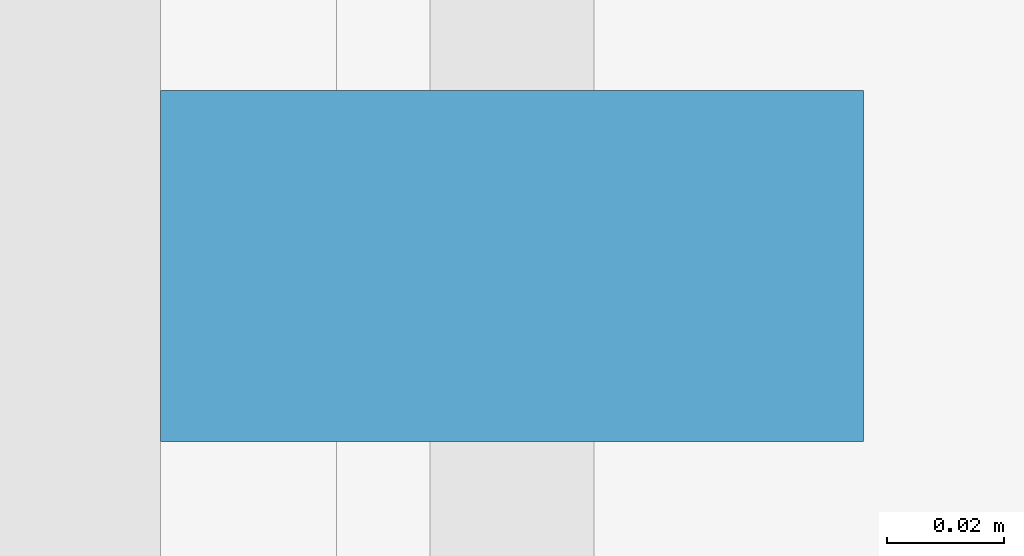
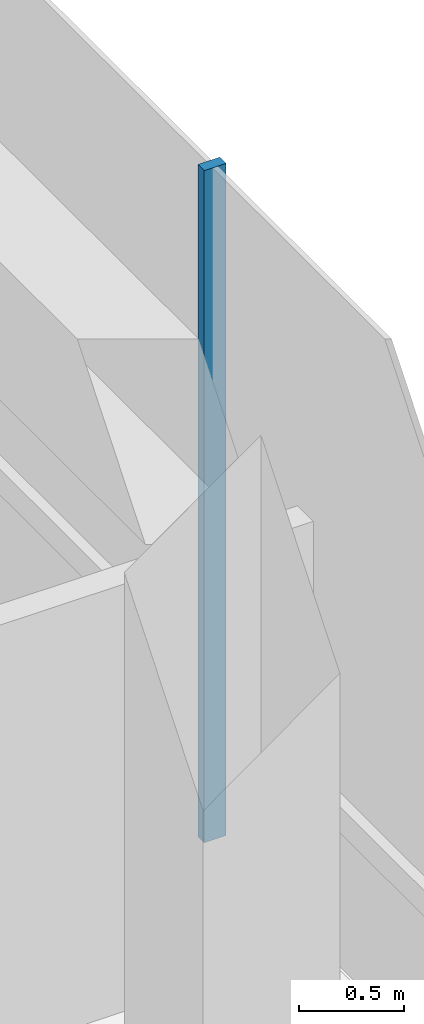
# One storey, part 13 of 22: 1 member, 1 element without a shape of its own.
"""IFC4 building model written with IfcOpenShell, lengths in metres."""

from ifc_helpers import new_model, si_unit, direction, frame, origin, origin_2d, place, context, subcontext, project, spatial, rectangle, extrude, material, layer, layer_set, material_profile, profile_set, type_object, element, aggregate, save


model = new_model("IFC4")

# Units and contexts
model_context = context("Model", 3, precision=1e-05, world=origin(), true_north=direction((0.0, 1.0)))
body_context = subcontext(model_context, "Body", "Model", "MODEL_VIEW")
ifc_project = project(units=[si_unit("LENGTHUNIT", "METRE"), si_unit("AREAUNIT", "SQUARE_METRE"), si_unit("VOLUMEUNIT", "CUBIC_METRE"), si_unit("PLANEANGLEUNIT", "RADIAN"), si_unit("MASSUNIT", "GRAM", prefix="KILO")], contexts=[model_context])

# Site, building, storey
site_placement = place(None, origin())
site = spatial("IfcSite", under=ifc_project, at=site_placement, CompositionType="ELEMENT")
building_placement = place(site_placement, origin())
building = spatial("IfcBuilding", under=site, at=building_placement, Name="Welwitschia Terrace Campus", CompositionType="ELEMENT")
storey_placement = place(building_placement, frame((0.0, 0.0, 310.39990234375)))
storey = spatial("IfcBuildingStorey", under=building, at=storey_placement, Name="L69", CompositionType="ELEMENT", Elevation=310.39990234375)

# Curtain wall, member
ifc_material_1 = material(Name="Bronze anodised aluminium", Category="aluminium")
ifc_layer = layer(ifc_material_1, 0.1201171875)
ifc_layer_set = layer_set([ifc_layer], Name="Bronze anodised aluminium")
curtain_wall_type = type_object("IfcCurtainWallType", Name="Curtain wall CW2 tower 6000", PredefinedType="NOTDEFINED", material=ifc_layer_set)
curtain_wall_placement = place(storey_placement, origin())
curtain_wall = element("IfcCurtainWall", 1, at=curtain_wall_placement, inside=storey, type_object=curtain_wall_type, Name="CW L69.7.0", PredefinedType="NOTDEFINED")
ifc_material_2 = material(Name="Bronze anodised aluminium", Category="aluminium")
ifc_material_profile = material_profile(ifc_material_2, rectangle(XDim=0.1201171875, YDim=0.06005859375, at=origin_2d()))
ifc_profile_set = profile_set([ifc_material_profile], Name="Bronze anodised aluminium")
member_type = type_object("IfcMemberType", Name="Mullion 60x120", PredefinedType="MULLION", material=ifc_profile_set)
member_placement = place(storey_placement, frame((25.030029296875, 45.974609375, 0.0), z_axis=(0.0, 0.0, 1.0), x_axis=(-1.0, 0.0, 0.0)))
member = element("IfcMember", 2, at=member_placement, type_object=member_type, Name="Mullion L69.7.0.3", PredefinedType="MULLION", context=body_context, shape_type="SweptSolid", body=[
    extrude(rectangle(XDim=0.1201171875, YDim=0.06005859375, at=origin_2d()), origin(), (0.0, 0.0, 1.0), 3.900146484375),
])
aggregate(curtain_wall, [member])

save(model, "model.ifc")
